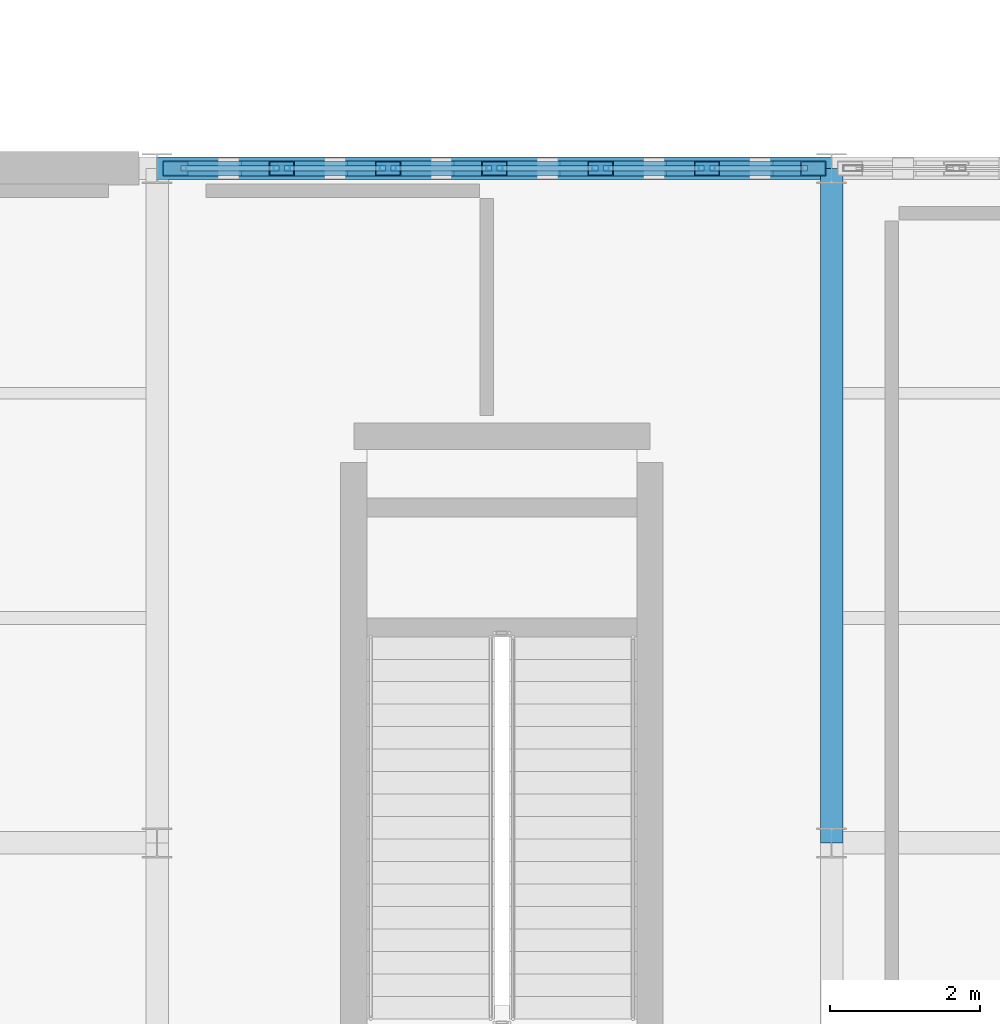
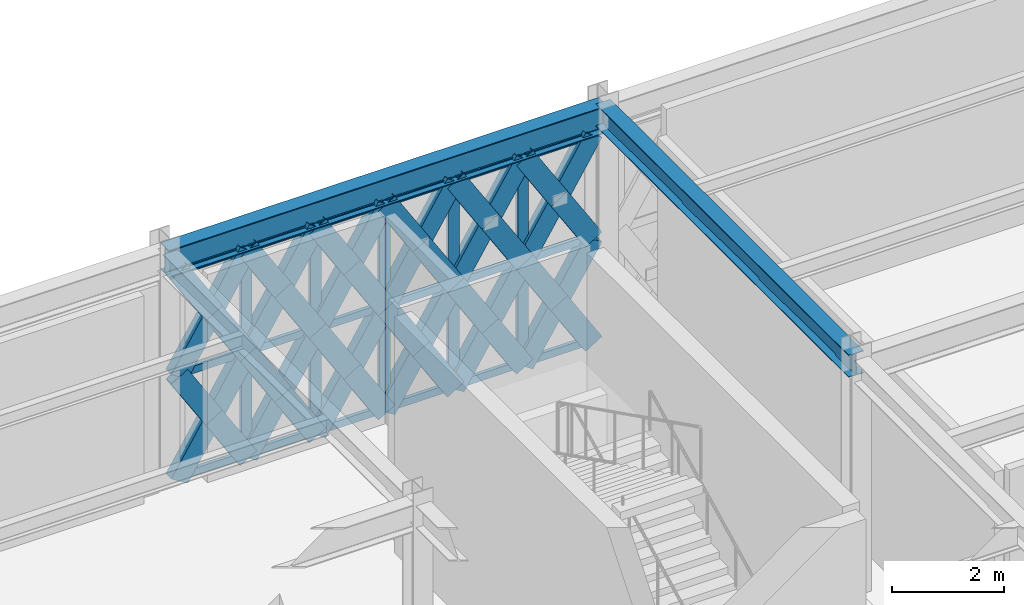
# One storey, part 95 of 140: 59 members, 2 beams, 1 element without a shape of its own.
"""IFC4 building model written with IfcOpenShell, lengths in metres."""

from ifc_helpers import new_model, si_unit, direction, frame, origin, origin_2d, place, context, subcontext, project, spatial, hollow_rectangle, i_section, extrude, material, material_profile, profile_set, type_object, element, aggregate, save


model = new_model("IFC4")

# Units and contexts
model_context = context("Model", 3, precision=1e-05, world=origin(), true_north=direction((0.0, 1.0)))
body_context = subcontext(model_context, "Body", "Model", "MODEL_VIEW")
ifc_project = project(units=[si_unit("LENGTHUNIT", "METRE"), si_unit("AREAUNIT", "SQUARE_METRE"), si_unit("VOLUMEUNIT", "CUBIC_METRE"), si_unit("PLANEANGLEUNIT", "RADIAN"), si_unit("MASSUNIT", "GRAM", prefix="KILO")], contexts=[model_context])

# Site, building, storey
site_placement = place(None, origin())
site = spatial("IfcSite", under=ifc_project, at=site_placement, CompositionType="ELEMENT")
building_placement = place(site_placement, origin())
building = spatial("IfcBuilding", under=site, at=building_placement, Name="Haizhuo Lancet Aquarium", CompositionType="ELEMENT")
storey_placement = place(building_placement, origin())
storey = spatial("IfcBuildingStorey", under=building, at=storey_placement, Name="L00", CompositionType="ELEMENT", Elevation=0.0)

# Beams
ifc_material_1 = material(Name="Steel S355", Category="steel")
ifc_material_profile_1 = material_profile(ifc_material_1, i_section(OverallWidth=0.300048828125, OverallDepth=0.488037109375, WebThickness=0.010986328125, FlangeThickness=0.01806640625, FilletRadius=0.02392578125, at=origin_2d()), Name="HM 488x300x11x18")
ifc_profile_set_1 = profile_set([ifc_material_profile_1], Name="Steel S355")
beam_type_1 = type_object("IfcBeamType", Name="BM-ST-HM488", PredefinedType="BEAM", material=ifc_profile_set_1)
beam_1_placement = place(storey_placement, frame((54.0, 27.0, 4.8759765625), z_axis=(0.0, 1.0, 0.0), x_axis=(-1.0, 0.0, 0.0)))
element("IfcBeam", 1, at=beam_1_placement, inside=storey, type_object=beam_type_1, Name="L00 V7 primary girder BM-L00-V7-015", PredefinedType="BEAM", context=body_context, shape_type="SweptSolid", body=[
    extrude(i_section(OverallWidth=0.300048828125, OverallDepth=0.488037109375, WebThickness=0.010986328125, FlangeThickness=0.01806640625, FilletRadius=0.02392578125, at=origin_2d()), origin(), (0.0, 0.0, 1.0), 9.0),
])
ifc_material_profile_2 = material_profile(ifc_material_1, i_section(OverallWidth=0.300048828125, OverallDepth=0.587890625, WebThickness=0.011962890625, FlangeThickness=0.02001953125, FilletRadius=0.02587890625, at=origin_2d()), Name="HM 588x300x12x20")
ifc_profile_set_2 = profile_set([ifc_material_profile_2], Name="Steel S355")
beam_type_2 = type_object("IfcBeamType", Name="BM-ST-HM588", PredefinedType="BEAM", material=ifc_profile_set_2)
beam_2_placement = place(storey_placement, frame((45.0, 36.0, 4.825927734375), z_axis=(1.0, 0.0, 0.0), x_axis=(0.0, 1.0, 0.0)))
element("IfcBeam", 2, at=beam_2_placement, inside=storey, type_object=beam_type_2, Name="L00 V7 primary girder BM-L00-V7-011", PredefinedType="BEAM", context=body_context, shape_type="SweptSolid", body=[
    extrude(i_section(OverallWidth=0.300048828125, OverallDepth=0.587890625, WebThickness=0.011962890625, FlangeThickness=0.02001953125, FilletRadius=0.02587890625, at=origin_2d()), origin(), (0.0, 0.0, 1.0), 9.0),
])

# Curtain wall, members
ifc_material_2 = material(Name="Aluminium 6063-T6", Category="aluminium")
curtain_wall_type = type_object("IfcCurtainWallType", Name="CWD-8510x4530", PredefinedType="NOTDEFINED", material=ifc_material_2)
curtain_wall_placement = place(storey_placement, origin())
curtain_wall = element("IfcCurtainWall", 3, at=curtain_wall_placement, inside=storey, type_object=curtain_wall_type, Name="L00 curtain wall CW-V7-L00-272", PredefinedType="NOTDEFINED")
ifc_material_profile_3 = material_profile(ifc_material_2, hollow_rectangle(XDim=0.074951171875, YDim=0.219970703125, WallThickness=0.0048828125, at=origin_2d()), Name="ALU-M 75x220x5")
ifc_profile_set_3 = profile_set([ifc_material_profile_3], Name="Aluminium 6063-T6")
member_type_1 = type_object("IfcMemberType", Name="CW-MUL-2", PredefinedType="MULLION", material=ifc_profile_set_3)
member_1_placement = place(storey_placement, frame((46.6630859375, 36.0, 0.0), z_axis=(0.0, 0.0, 1.0), x_axis=(0.0, 1.0, 0.0)))
member_1 = element("IfcMember", 4, at=member_1_placement, type_object=member_type_1, Name="CWD-85x45 mullion 2", PredefinedType="MULLION", context=body_context, shape_type="SweptSolid", body=[
    extrude(hollow_rectangle(XDim=0.074951171875, YDim=0.219970703125, WallThickness=0.0048828125, at=origin_2d()), origin(), (0.0, 0.0, 1.0), 4.531982421875),
])
member_2_placement = place(storey_placement, frame((48.08203125, 36.0, 0.0), z_axis=(0.0, 0.0, 1.0), x_axis=(0.0, 1.0, 0.0)))
member_2 = element("IfcMember", 5, at=member_2_placement, type_object=member_type_1, Name="CWD-85x45 mullion 3", PredefinedType="MULLION", context=body_context, shape_type="SweptSolid", body=[
    extrude(hollow_rectangle(XDim=0.074951171875, YDim=0.219970703125, WallThickness=0.0048828125, at=origin_2d()), origin(), (0.0, 0.0, 1.0), 4.531982421875),
])
member_3_placement = place(storey_placement, frame((49.5, 36.0, 0.0), z_axis=(0.0, 0.0, 1.0), x_axis=(0.0, 1.0, 0.0)))
member_3 = element("IfcMember", 6, at=member_3_placement, type_object=member_type_1, Name="CWD-85x45 mullion 4", PredefinedType="MULLION", context=body_context, shape_type="SweptSolid", body=[
    extrude(hollow_rectangle(XDim=0.074951171875, YDim=0.219970703125, WallThickness=0.0048828125, at=origin_2d()), origin(), (0.0, 0.0, 1.0), 4.531982421875),
])
member_4_placement = place(storey_placement, frame((50.91796875, 36.0, 0.0), z_axis=(0.0, 0.0, 1.0), x_axis=(0.0, 1.0, 0.0)))
member_4 = element("IfcMember", 7, at=member_4_placement, type_object=member_type_1, Name="CWD-85x45 mullion 5", PredefinedType="MULLION", context=body_context, shape_type="SweptSolid", body=[
    extrude(hollow_rectangle(XDim=0.074951171875, YDim=0.219970703125, WallThickness=0.0048828125, at=origin_2d()), origin(), (0.0, 0.0, 1.0), 4.531982421875),
])
member_5_placement = place(storey_placement, frame((52.3369140625, 36.0, 0.0), z_axis=(0.0, 0.0, 1.0), x_axis=(0.0, 1.0, 0.0)))
member_5 = element("IfcMember", 8, at=member_5_placement, type_object=member_type_1, Name="CWD-85x45 mullion 6", PredefinedType="MULLION", context=body_context, shape_type="SweptSolid", body=[
    extrude(hollow_rectangle(XDim=0.074951171875, YDim=0.219970703125, WallThickness=0.0048828125, at=origin_2d()), origin(), (0.0, 0.0, 1.0), 4.531982421875),
])
ifc_material_profile_4 = material_profile(ifc_material_2, hollow_rectangle(XDim=0.074951171875, YDim=0.159912109375, WallThickness=0.00390625, at=origin_2d()), Name="ALU-T 75x160x4")
ifc_profile_set_4 = profile_set([ifc_material_profile_4], Name="Aluminium 6063-T6")
member_type_2 = type_object("IfcMemberType", Name="CW-TRN-2", PredefinedType="NOTDEFINED", material=ifc_profile_set_4)
member_6_placement = place(storey_placement, frame((45.320068359375, 36.0, 0.037109375), z_axis=(1.0, 0.0, 0.0), x_axis=(0.0, 1.0, 0.0)))
member_6 = element("IfcMember", 9, at=member_6_placement, type_object=member_type_2, Name="CWD-85x45 transom 1.1", ObjectType="TRANSOM", PredefinedType="USERDEFINED", context=body_context, shape_type="SweptSolid", body=[
    extrude(hollow_rectangle(XDim=0.074951171875, YDim=0.159912109375, WallThickness=0.00390625, at=origin_2d()), origin(), (0.0, 0.0, 1.0), 1.305908203125),
])
member_7_placement = place(storey_placement, frame((45.320068359375, 36.0, 2.26611328125), z_axis=(1.0, 0.0, 0.0), x_axis=(0.0, 1.0, 0.0)))
member_7 = element("IfcMember", 10, at=member_7_placement, type_object=member_type_2, Name="CWD-85x45 transom 1.2", ObjectType="TRANSOM", PredefinedType="USERDEFINED", context=body_context, shape_type="SweptSolid", body=[
    extrude(hollow_rectangle(XDim=0.074951171875, YDim=0.159912109375, WallThickness=0.00390625, at=origin_2d()), origin(), (0.0, 0.0, 1.0), 1.305908203125),
])
member_8_placement = place(storey_placement, frame((45.320068359375, 36.0, 4.4951171875), z_axis=(1.0, 0.0, 0.0), x_axis=(0.0, 1.0, 0.0)))
member_8 = element("IfcMember", 11, at=member_8_placement, type_object=member_type_2, Name="CWD-85x45 transom 1.3", ObjectType="TRANSOM", PredefinedType="USERDEFINED", context=body_context, shape_type="SweptSolid", body=[
    extrude(hollow_rectangle(XDim=0.074951171875, YDim=0.159912109375, WallThickness=0.00390625, at=origin_2d()), origin(), (0.0, 0.0, 1.0), 1.305908203125),
])
member_9_placement = place(storey_placement, frame((46.700927734375, 36.0, 0.037109375), z_axis=(1.0, 0.0, 0.0), x_axis=(0.0, 1.0, 0.0)))
member_9 = element("IfcMember", 12, at=member_9_placement, type_object=member_type_2, Name="CWD-85x45 transom 2.1", ObjectType="TRANSOM", PredefinedType="USERDEFINED", context=body_context, shape_type="SweptSolid", body=[
    extrude(hollow_rectangle(XDim=0.074951171875, YDim=0.159912109375, WallThickness=0.00390625, at=origin_2d()), origin(), (0.0, 0.0, 1.0), 1.343017578125),
])
member_10_placement = place(storey_placement, frame((46.700927734375, 36.0, 2.26611328125), z_axis=(1.0, 0.0, 0.0), x_axis=(0.0, 1.0, 0.0)))
member_10 = element("IfcMember", 13, at=member_10_placement, type_object=member_type_2, Name="CWD-85x45 transom 2.2", ObjectType="TRANSOM", PredefinedType="USERDEFINED", context=body_context, shape_type="SweptSolid", body=[
    extrude(hollow_rectangle(XDim=0.074951171875, YDim=0.159912109375, WallThickness=0.00390625, at=origin_2d()), origin(), (0.0, 0.0, 1.0), 1.343017578125),
])
member_11_placement = place(storey_placement, frame((46.700927734375, 36.0, 4.4951171875), z_axis=(1.0, 0.0, 0.0), x_axis=(0.0, 1.0, 0.0)))
member_11 = element("IfcMember", 14, at=member_11_placement, type_object=member_type_2, Name="CWD-85x45 transom 2.3", ObjectType="TRANSOM", PredefinedType="USERDEFINED", context=body_context, shape_type="SweptSolid", body=[
    extrude(hollow_rectangle(XDim=0.074951171875, YDim=0.159912109375, WallThickness=0.00390625, at=origin_2d()), origin(), (0.0, 0.0, 1.0), 1.343017578125),
])
member_12_placement = place(storey_placement, frame((48.118896484375, 36.0, 0.037109375), z_axis=(1.0, 0.0, 0.0), x_axis=(0.0, 1.0, 0.0)))
member_12 = element("IfcMember", 15, at=member_12_placement, type_object=member_type_2, Name="CWD-85x45 transom 3.1", ObjectType="TRANSOM", PredefinedType="USERDEFINED", context=body_context, shape_type="SweptSolid", body=[
    extrude(hollow_rectangle(XDim=0.074951171875, YDim=0.159912109375, WallThickness=0.00390625, at=origin_2d()), origin(), (0.0, 0.0, 1.0), 1.343017578125),
])
member_13_placement = place(storey_placement, frame((48.118896484375, 36.0, 2.26611328125), z_axis=(1.0, 0.0, 0.0), x_axis=(0.0, 1.0, 0.0)))
member_13 = element("IfcMember", 16, at=member_13_placement, type_object=member_type_2, Name="CWD-85x45 transom 3.2", ObjectType="TRANSOM", PredefinedType="USERDEFINED", context=body_context, shape_type="SweptSolid", body=[
    extrude(hollow_rectangle(XDim=0.074951171875, YDim=0.159912109375, WallThickness=0.00390625, at=origin_2d()), origin(), (0.0, 0.0, 1.0), 1.343017578125),
])
member_14_placement = place(storey_placement, frame((48.118896484375, 36.0, 4.4951171875), z_axis=(1.0, 0.0, 0.0), x_axis=(0.0, 1.0, 0.0)))
member_14 = element("IfcMember", 17, at=member_14_placement, type_object=member_type_2, Name="CWD-85x45 transom 3.3", ObjectType="TRANSOM", PredefinedType="USERDEFINED", context=body_context, shape_type="SweptSolid", body=[
    extrude(hollow_rectangle(XDim=0.074951171875, YDim=0.159912109375, WallThickness=0.00390625, at=origin_2d()), origin(), (0.0, 0.0, 1.0), 1.343017578125),
])
member_15_placement = place(storey_placement, frame((49.5380859375, 36.0, 0.037109375), z_axis=(1.0, 0.0, 0.0), x_axis=(0.0, 1.0, 0.0)))
member_15 = element("IfcMember", 18, at=member_15_placement, type_object=member_type_2, Name="CWD-85x45 transom 4.1", ObjectType="TRANSOM", PredefinedType="USERDEFINED", context=body_context, shape_type="SweptSolid", body=[
    extrude(hollow_rectangle(XDim=0.074951171875, YDim=0.159912109375, WallThickness=0.00390625, at=origin_2d()), origin(), (0.0, 0.0, 1.0), 1.343017578125),
])
member_16_placement = place(storey_placement, frame((49.5380859375, 36.0, 2.26611328125), z_axis=(1.0, 0.0, 0.0), x_axis=(0.0, 1.0, 0.0)))
member_16 = element("IfcMember", 19, at=member_16_placement, type_object=member_type_2, Name="CWD-85x45 transom 4.2", ObjectType="TRANSOM", PredefinedType="USERDEFINED", context=body_context, shape_type="SweptSolid", body=[
    extrude(hollow_rectangle(XDim=0.074951171875, YDim=0.159912109375, WallThickness=0.00390625, at=origin_2d()), origin(), (0.0, 0.0, 1.0), 1.343017578125),
])
member_17_placement = place(storey_placement, frame((49.5380859375, 36.0, 4.4951171875), z_axis=(1.0, 0.0, 0.0), x_axis=(0.0, 1.0, 0.0)))
member_17 = element("IfcMember", 20, at=member_17_placement, type_object=member_type_2, Name="CWD-85x45 transom 4.3", ObjectType="TRANSOM", PredefinedType="USERDEFINED", context=body_context, shape_type="SweptSolid", body=[
    extrude(hollow_rectangle(XDim=0.074951171875, YDim=0.159912109375, WallThickness=0.00390625, at=origin_2d()), origin(), (0.0, 0.0, 1.0), 1.343017578125),
])
member_18_placement = place(storey_placement, frame((50.9560546875, 36.0, 0.037109375), z_axis=(1.0, 0.0, 0.0), x_axis=(0.0, 1.0, 0.0)))
member_18 = element("IfcMember", 21, at=member_18_placement, type_object=member_type_2, Name="CWD-85x45 transom 5.1", ObjectType="TRANSOM", PredefinedType="USERDEFINED", context=body_context, shape_type="SweptSolid", body=[
    extrude(hollow_rectangle(XDim=0.074951171875, YDim=0.159912109375, WallThickness=0.00390625, at=origin_2d()), origin(), (0.0, 0.0, 1.0), 1.343017578125),
])
member_19_placement = place(storey_placement, frame((50.9560546875, 36.0, 2.26611328125), z_axis=(1.0, 0.0, 0.0), x_axis=(0.0, 1.0, 0.0)))
member_19 = element("IfcMember", 22, at=member_19_placement, type_object=member_type_2, Name="CWD-85x45 transom 5.2", ObjectType="TRANSOM", PredefinedType="USERDEFINED", context=body_context, shape_type="SweptSolid", body=[
    extrude(hollow_rectangle(XDim=0.074951171875, YDim=0.159912109375, WallThickness=0.00390625, at=origin_2d()), origin(), (0.0, 0.0, 1.0), 1.343017578125),
])
member_20_placement = place(storey_placement, frame((50.9560546875, 36.0, 4.4951171875), z_axis=(1.0, 0.0, 0.0), x_axis=(0.0, 1.0, 0.0)))
member_20 = element("IfcMember", 23, at=member_20_placement, type_object=member_type_2, Name="CWD-85x45 transom 5.3", ObjectType="TRANSOM", PredefinedType="USERDEFINED", context=body_context, shape_type="SweptSolid", body=[
    extrude(hollow_rectangle(XDim=0.074951171875, YDim=0.159912109375, WallThickness=0.00390625, at=origin_2d()), origin(), (0.0, 0.0, 1.0), 1.343017578125),
])
member_21_placement = place(storey_placement, frame((52.3740234375, 36.0, 0.037109375), z_axis=(1.0, 0.0, 0.0), x_axis=(0.0, 1.0, 0.0)))
member_21 = element("IfcMember", 24, at=member_21_placement, type_object=member_type_2, Name="CWD-85x45 transom 6.1", ObjectType="TRANSOM", PredefinedType="USERDEFINED", context=body_context, shape_type="SweptSolid", body=[
    extrude(hollow_rectangle(XDim=0.074951171875, YDim=0.159912109375, WallThickness=0.00390625, at=origin_2d()), origin(), (0.0, 0.0, 1.0), 1.305908203125),
])
member_22_placement = place(storey_placement, frame((52.3740234375, 36.0, 2.26611328125), z_axis=(1.0, 0.0, 0.0), x_axis=(0.0, 1.0, 0.0)))
member_22 = element("IfcMember", 25, at=member_22_placement, type_object=member_type_2, Name="CWD-85x45 transom 6.2", ObjectType="TRANSOM", PredefinedType="USERDEFINED", context=body_context, shape_type="SweptSolid", body=[
    extrude(hollow_rectangle(XDim=0.074951171875, YDim=0.159912109375, WallThickness=0.00390625, at=origin_2d()), origin(), (0.0, 0.0, 1.0), 1.305908203125),
])
member_23_placement = place(storey_placement, frame((52.3740234375, 36.0, 4.4951171875), z_axis=(1.0, 0.0, 0.0), x_axis=(0.0, 1.0, 0.0)))
member_23 = element("IfcMember", 26, at=member_23_placement, type_object=member_type_2, Name="CWD-85x45 transom 6.3", ObjectType="TRANSOM", PredefinedType="USERDEFINED", context=body_context, shape_type="SweptSolid", body=[
    extrude(hollow_rectangle(XDim=0.074951171875, YDim=0.159912109375, WallThickness=0.00390625, at=origin_2d()), origin(), (0.0, 0.0, 1.0), 1.305908203125),
])
aggregate(curtain_wall, [member_1, member_2, member_3, member_4, member_5, member_6, member_7, member_8, member_9, member_10, member_11, member_12, member_13, member_14, member_15, member_16, member_17, member_18, member_19, member_20, member_21, member_22, member_23])

# Members
ifc_material_profile_5 = material_profile(ifc_material_1, hollow_rectangle(XDim=0.199951171875, YDim=0.39990234375, WallThickness=0.011962890625, at=origin_2d()), Name="RHS 200x400x12")
ifc_profile_set_5 = profile_set([ifc_material_profile_5], Name="Steel S355")
member_type_3 = type_object("IfcMemberType", Name="MEM-LB-RHS200x400", PredefinedType="BRACE", material=ifc_profile_set_5)
member_24_placement = place(storey_placement, frame((45.2451171875, 36.0, 0.0), z_axis=(0.530442175185, 0.0, 0.847721120879), x_axis=(0.0, 1.0, 0.0)))
element("IfcMember", 27, at=member_24_placement, inside=storey, type_object=member_type_3, Name="Gothic lancet continuous diagonal brace CW-V7-L00-272 1A", PredefinedType="BRACE", context=body_context, shape_type="SweptSolid", body=[
    extrude(hollow_rectangle(XDim=0.199951171875, YDim=0.39990234375, WallThickness=0.011962890625, at=origin_2d()), origin(), (0.0, 0.0, 1.0), 2.673095703125),
])
for number, where, z_axis, x_axis, name in (
    (28, (46.6630859375, 36.0, 0.0), (-0.530442175185, 0.0, 0.847721120879), (0.0, -1.0, 0.0), "Gothic lancet split diagonal brace CW-V7-L00-272 1B1"),
    (29, (45.9541015625, 36.0, 1.133056640625), (-0.530442175185, 0.0, 0.847721120879), (0.0, -1.0, 0.0), "Gothic lancet split diagonal brace CW-V7-L00-272 1B2"),
):
    element("IfcMember", number, at=place(storey_placement, frame(where, z_axis=z_axis, x_axis=x_axis)), inside=storey, type_object=member_type_3, Name=name, PredefinedType="BRACE", context=body_context, shape_type="SweptSolid", body=[
        extrude(hollow_rectangle(XDim=0.199951171875, YDim=0.39990234375, WallThickness=0.011962890625, at=origin_2d()), origin(), (0.0, 0.0, 1.0), 1.336669921875),
    ])
member_25_placement = place(storey_placement, frame((45.2451171875, 36.0, 2.26611328125), z_axis=(0.530483245642, 0.0, 0.847695420592), x_axis=(0.0, 1.0, 0.0)))
element("IfcMember", 30, at=member_25_placement, inside=storey, type_object=member_type_3, Name="Gothic lancet continuous diagonal brace CW-V7-L00-272 2A", PredefinedType="BRACE", context=body_context, shape_type="SweptSolid", body=[
    extrude(hollow_rectangle(XDim=0.199951171875, YDim=0.39990234375, WallThickness=0.011962890625, at=origin_2d()), origin(), (0.0, 0.0, 1.0), 2.673095703125),
])
member_26_placement = place(storey_placement, frame((46.6630859375, 36.0, 2.26611328125), z_axis=(-0.530524321213, 0.0, 0.847669714335), x_axis=(0.0, -1.0, 0.0)))
element("IfcMember", 31, at=member_26_placement, inside=storey, type_object=member_type_3, Name="Gothic lancet split diagonal brace CW-V7-L00-272 2B1", PredefinedType="BRACE", context=body_context, shape_type="SweptSolid", body=[
    extrude(hollow_rectangle(XDim=0.199951171875, YDim=0.39990234375, WallThickness=0.011962890625, at=origin_2d()), origin(), (0.0, 0.0, 1.0), 1.33642578125),
])
member_27_placement = place(storey_placement, frame((45.9541015625, 36.0, 3.39892578125), z_axis=(-0.530442175185, 0.0, 0.847721120879), x_axis=(0.0, -1.0, 0.0)))
element("IfcMember", 32, at=member_27_placement, inside=storey, type_object=member_type_3, Name="Gothic lancet split diagonal brace CW-V7-L00-272 2B2", PredefinedType="BRACE", context=body_context, shape_type="SweptSolid", body=[
    extrude(hollow_rectangle(XDim=0.199951171875, YDim=0.39990234375, WallThickness=0.011962890625, at=origin_2d()), origin(), (0.0, 0.0, 1.0), 1.336669921875),
])
member_28_placement = place(storey_placement, frame((46.6630859375, 36.0, 0.0), z_axis=(0.530704627976, 0.0, 0.84755684048), x_axis=(0.0, 1.0, 0.0)))
element("IfcMember", 33, at=member_28_placement, inside=storey, type_object=member_type_3, Name="Gothic lancet continuous diagonal brace CW-V7-L00-272 3A", PredefinedType="BRACE", context=body_context, shape_type="SweptSolid", body=[
    extrude(hollow_rectangle(XDim=0.199951171875, YDim=0.39990234375, WallThickness=0.011962890625, at=origin_2d()), origin(), (0.0, 0.0, 1.0), 2.673583984375),
])
member_29_placement = place(storey_placement, frame((48.08203125, 36.0, 0.0), z_axis=(-0.530442175185, 0.0, 0.847721120879), x_axis=(0.0, -1.0, 0.0)))
element("IfcMember", 34, at=member_29_placement, inside=storey, type_object=member_type_3, Name="Gothic lancet split diagonal brace CW-V7-L00-272 3B1", PredefinedType="BRACE", context=body_context, shape_type="SweptSolid", body=[
    extrude(hollow_rectangle(XDim=0.199951171875, YDim=0.39990234375, WallThickness=0.011962890625, at=origin_2d()), origin(), (0.0, 0.0, 1.0), 1.336669921875),
])
member_30_placement = place(storey_placement, frame((47.373046875, 36.0, 1.133056640625), z_axis=(-0.530966928191, 0.0, 0.847392542549), x_axis=(0.0, -1.0, 0.0)))
element("IfcMember", 35, at=member_30_placement, inside=storey, type_object=member_type_3, Name="Gothic lancet split diagonal brace CW-V7-L00-272 3B2", PredefinedType="BRACE", context=body_context, shape_type="SweptSolid", body=[
    extrude(hollow_rectangle(XDim=0.199951171875, YDim=0.39990234375, WallThickness=0.011962890625, at=origin_2d()), origin(), (0.0, 0.0, 1.0), 1.337158203125),
])
member_31_placement = place(storey_placement, frame((46.6630859375, 36.0, 2.26611328125), z_axis=(0.530745702827, 0.0, 0.847531119742), x_axis=(0.0, 1.0, 0.0)))
element("IfcMember", 36, at=member_31_placement, inside=storey, type_object=member_type_3, Name="Gothic lancet continuous diagonal brace CW-V7-L00-272 4A", PredefinedType="BRACE", context=body_context, shape_type="SweptSolid", body=[
    extrude(hollow_rectangle(XDim=0.199951171875, YDim=0.39990234375, WallThickness=0.011962890625, at=origin_2d()), origin(), (0.0, 0.0, 1.0), 2.673583984375),
])
member_32_placement = place(storey_placement, frame((48.08203125, 36.0, 2.26611328125), z_axis=(-0.530524321213, 0.0, 0.847669714335), x_axis=(0.0, -1.0, 0.0)))
element("IfcMember", 37, at=member_32_placement, inside=storey, type_object=member_type_3, Name="Gothic lancet split diagonal brace CW-V7-L00-272 4B1", PredefinedType="BRACE", context=body_context, shape_type="SweptSolid", body=[
    extrude(hollow_rectangle(XDim=0.199951171875, YDim=0.39990234375, WallThickness=0.011962890625, at=origin_2d()), origin(), (0.0, 0.0, 1.0), 1.33642578125),
])
member_33_placement = place(storey_placement, frame((47.373046875, 36.0, 3.39892578125), z_axis=(-0.530966928191, 0.0, 0.847392542549), x_axis=(0.0, -1.0, 0.0)))
element("IfcMember", 38, at=member_33_placement, inside=storey, type_object=member_type_3, Name="Gothic lancet split diagonal brace CW-V7-L00-272 4B2", PredefinedType="BRACE", context=body_context, shape_type="SweptSolid", body=[
    extrude(hollow_rectangle(XDim=0.199951171875, YDim=0.39990234375, WallThickness=0.011962890625, at=origin_2d()), origin(), (0.0, 0.0, 1.0), 1.337158203125),
])
member_34_placement = place(storey_placement, frame((48.08203125, 36.0, 0.0), z_axis=(0.530442175185, 0.0, 0.847721120879), x_axis=(0.0, 1.0, 0.0)))
element("IfcMember", 39, at=member_34_placement, inside=storey, type_object=member_type_3, Name="Gothic lancet continuous diagonal brace CW-V7-L00-272 5A", PredefinedType="BRACE", context=body_context, shape_type="SweptSolid", body=[
    extrude(hollow_rectangle(XDim=0.199951171875, YDim=0.39990234375, WallThickness=0.011962890625, at=origin_2d()), origin(), (0.0, 0.0, 1.0), 2.673095703125),
])
for number, where, z_axis, x_axis, name in (
    (40, (49.5, 36.0, 0.0), (-0.530442175185, 0.0, 0.847721120879), (0.0, -1.0, 0.0), "Gothic lancet split diagonal brace CW-V7-L00-272 5B1"),
    (41, (48.791015625, 36.0, 1.133056640625), (-0.530442175185, 0.0, 0.847721120879), (0.0, -1.0, 0.0), "Gothic lancet split diagonal brace CW-V7-L00-272 5B2"),
):
    element("IfcMember", number, at=place(storey_placement, frame(where, z_axis=z_axis, x_axis=x_axis)), inside=storey, type_object=member_type_3, Name=name, PredefinedType="BRACE", context=body_context, shape_type="SweptSolid", body=[
        extrude(hollow_rectangle(XDim=0.199951171875, YDim=0.39990234375, WallThickness=0.011962890625, at=origin_2d()), origin(), (0.0, 0.0, 1.0), 1.336669921875),
    ])
member_35_placement = place(storey_placement, frame((48.08203125, 36.0, 2.26611328125), z_axis=(0.530483245642, 0.0, 0.847695420592), x_axis=(0.0, 1.0, 0.0)))
element("IfcMember", 42, at=member_35_placement, inside=storey, type_object=member_type_3, Name="Gothic lancet continuous diagonal brace CW-V7-L00-272 6A", PredefinedType="BRACE", context=body_context, shape_type="SweptSolid", body=[
    extrude(hollow_rectangle(XDim=0.199951171875, YDim=0.39990234375, WallThickness=0.011962890625, at=origin_2d()), origin(), (0.0, 0.0, 1.0), 2.673095703125),
])
member_36_placement = place(storey_placement, frame((49.5, 36.0, 2.26611328125), z_axis=(-0.530524321213, 0.0, 0.847669714335), x_axis=(0.0, -1.0, 0.0)))
element("IfcMember", 43, at=member_36_placement, inside=storey, type_object=member_type_3, Name="Gothic lancet split diagonal brace CW-V7-L00-272 6B1", PredefinedType="BRACE", context=body_context, shape_type="SweptSolid", body=[
    extrude(hollow_rectangle(XDim=0.199951171875, YDim=0.39990234375, WallThickness=0.011962890625, at=origin_2d()), origin(), (0.0, 0.0, 1.0), 1.33642578125),
])
member_37_placement = place(storey_placement, frame((48.791015625, 36.0, 3.39892578125), z_axis=(-0.530442175185, 0.0, 0.847721120879), x_axis=(0.0, -1.0, 0.0)))
element("IfcMember", 44, at=member_37_placement, inside=storey, type_object=member_type_3, Name="Gothic lancet split diagonal brace CW-V7-L00-272 6B2", PredefinedType="BRACE", context=body_context, shape_type="SweptSolid", body=[
    extrude(hollow_rectangle(XDim=0.199951171875, YDim=0.39990234375, WallThickness=0.011962890625, at=origin_2d()), origin(), (0.0, 0.0, 1.0), 1.336669921875),
])
member_38_placement = place(storey_placement, frame((49.5, 36.0, 0.0), z_axis=(0.530442175185, 0.0, 0.847721120879), x_axis=(0.0, 1.0, 0.0)))
element("IfcMember", 45, at=member_38_placement, inside=storey, type_object=member_type_3, Name="Gothic lancet continuous diagonal brace CW-V7-L00-272 7A", PredefinedType="BRACE", context=body_context, shape_type="SweptSolid", body=[
    extrude(hollow_rectangle(XDim=0.199951171875, YDim=0.39990234375, WallThickness=0.011962890625, at=origin_2d()), origin(), (0.0, 0.0, 1.0), 2.673095703125),
])
for number, where, z_axis, x_axis, name in (
    (46, (50.91796875, 36.0, 0.0), (-0.530442175185, 0.0, 0.847721120879), (0.0, -1.0, 0.0), "Gothic lancet split diagonal brace CW-V7-L00-272 7B1"),
    (47, (50.208984375, 36.0, 1.133056640625), (-0.530442175185, 0.0, 0.847721120879), (0.0, -1.0, 0.0), "Gothic lancet split diagonal brace CW-V7-L00-272 7B2"),
):
    element("IfcMember", number, at=place(storey_placement, frame(where, z_axis=z_axis, x_axis=x_axis)), inside=storey, type_object=member_type_3, Name=name, PredefinedType="BRACE", context=body_context, shape_type="SweptSolid", body=[
        extrude(hollow_rectangle(XDim=0.199951171875, YDim=0.39990234375, WallThickness=0.011962890625, at=origin_2d()), origin(), (0.0, 0.0, 1.0), 1.336669921875),
    ])
member_39_placement = place(storey_placement, frame((49.5, 36.0, 2.26611328125), z_axis=(0.530483245642, 0.0, 0.847695420592), x_axis=(0.0, 1.0, 0.0)))
element("IfcMember", 48, at=member_39_placement, inside=storey, type_object=member_type_3, Name="Gothic lancet continuous diagonal brace CW-V7-L00-272 8A", PredefinedType="BRACE", context=body_context, shape_type="SweptSolid", body=[
    extrude(hollow_rectangle(XDim=0.199951171875, YDim=0.39990234375, WallThickness=0.011962890625, at=origin_2d()), origin(), (0.0, 0.0, 1.0), 2.673095703125),
])
member_40_placement = place(storey_placement, frame((50.91796875, 36.0, 2.26611328125), z_axis=(-0.530524321213, 0.0, 0.847669714335), x_axis=(0.0, -1.0, 0.0)))
element("IfcMember", 49, at=member_40_placement, inside=storey, type_object=member_type_3, Name="Gothic lancet split diagonal brace CW-V7-L00-272 8B1", PredefinedType="BRACE", context=body_context, shape_type="SweptSolid", body=[
    extrude(hollow_rectangle(XDim=0.199951171875, YDim=0.39990234375, WallThickness=0.011962890625, at=origin_2d()), origin(), (0.0, 0.0, 1.0), 1.33642578125),
])
member_41_placement = place(storey_placement, frame((50.208984375, 36.0, 3.39892578125), z_axis=(-0.530442175185, 0.0, 0.847721120879), x_axis=(0.0, -1.0, 0.0)))
element("IfcMember", 50, at=member_41_placement, inside=storey, type_object=member_type_3, Name="Gothic lancet split diagonal brace CW-V7-L00-272 8B2", PredefinedType="BRACE", context=body_context, shape_type="SweptSolid", body=[
    extrude(hollow_rectangle(XDim=0.199951171875, YDim=0.39990234375, WallThickness=0.011962890625, at=origin_2d()), origin(), (0.0, 0.0, 1.0), 1.336669921875),
])
member_42_placement = place(storey_placement, frame((50.91796875, 36.0, 0.0), z_axis=(0.530704627976, 0.0, 0.84755684048), x_axis=(0.0, 1.0, 0.0)))
element("IfcMember", 51, at=member_42_placement, inside=storey, type_object=member_type_3, Name="Gothic lancet continuous diagonal brace CW-V7-L00-272 9A", PredefinedType="BRACE", context=body_context, shape_type="SweptSolid", body=[
    extrude(hollow_rectangle(XDim=0.199951171875, YDim=0.39990234375, WallThickness=0.011962890625, at=origin_2d()), origin(), (0.0, 0.0, 1.0), 2.673583984375),
])
member_43_placement = place(storey_placement, frame((52.3369140625, 36.0, 0.0), z_axis=(-0.530966928191, 0.0, 0.847392542549), x_axis=(0.0, -1.0, 0.0)))
element("IfcMember", 52, at=member_43_placement, inside=storey, type_object=member_type_3, Name="Gothic lancet split diagonal brace CW-V7-L00-272 9B1", PredefinedType="BRACE", context=body_context, shape_type="SweptSolid", body=[
    extrude(hollow_rectangle(XDim=0.199951171875, YDim=0.39990234375, WallThickness=0.011962890625, at=origin_2d()), origin(), (0.0, 0.0, 1.0), 1.337158203125),
])
member_44_placement = place(storey_placement, frame((51.626953125, 36.0, 1.133056640625), z_axis=(-0.530442175185, 0.0, 0.847721120879), x_axis=(0.0, -1.0, 0.0)))
element("IfcMember", 53, at=member_44_placement, inside=storey, type_object=member_type_3, Name="Gothic lancet split diagonal brace CW-V7-L00-272 9B2", PredefinedType="BRACE", context=body_context, shape_type="SweptSolid", body=[
    extrude(hollow_rectangle(XDim=0.199951171875, YDim=0.39990234375, WallThickness=0.011962890625, at=origin_2d()), origin(), (0.0, 0.0, 1.0), 1.336669921875),
])
member_45_placement = place(storey_placement, frame((50.91796875, 36.0, 2.26611328125), z_axis=(0.530745702827, 0.0, 0.847531119742), x_axis=(0.0, 1.0, 0.0)))
element("IfcMember", 54, at=member_45_placement, inside=storey, type_object=member_type_3, Name="Gothic lancet continuous diagonal brace CW-V7-L00-272 10A", PredefinedType="BRACE", context=body_context, shape_type="SweptSolid", body=[
    extrude(hollow_rectangle(XDim=0.199951171875, YDim=0.39990234375, WallThickness=0.011962890625, at=origin_2d()), origin(), (0.0, 0.0, 1.0), 2.673583984375),
])
member_46_placement = place(storey_placement, frame((52.3369140625, 36.0, 2.26611328125), z_axis=(-0.531049091739, 0.0, 0.847341054218), x_axis=(0.0, -1.0, 0.0)))
element("IfcMember", 55, at=member_46_placement, inside=storey, type_object=member_type_3, Name="Gothic lancet split diagonal brace CW-V7-L00-272 10B1", PredefinedType="BRACE", context=body_context, shape_type="SweptSolid", body=[
    extrude(hollow_rectangle(XDim=0.199951171875, YDim=0.39990234375, WallThickness=0.011962890625, at=origin_2d()), origin(), (0.0, 0.0, 1.0), 1.3369140625),
])
member_47_placement = place(storey_placement, frame((51.626953125, 36.0, 3.39892578125), z_axis=(-0.530442175185, 0.0, 0.847721120879), x_axis=(0.0, -1.0, 0.0)))
element("IfcMember", 56, at=member_47_placement, inside=storey, type_object=member_type_3, Name="Gothic lancet split diagonal brace CW-V7-L00-272 10B2", PredefinedType="BRACE", context=body_context, shape_type="SweptSolid", body=[
    extrude(hollow_rectangle(XDim=0.199951171875, YDim=0.39990234375, WallThickness=0.011962890625, at=origin_2d()), origin(), (0.0, 0.0, 1.0), 1.336669921875),
])
member_48_placement = place(storey_placement, frame((52.3369140625, 36.0, 0.0), z_axis=(0.530442175185, 0.0, 0.847721120879), x_axis=(0.0, 1.0, 0.0)))
element("IfcMember", 57, at=member_48_placement, inside=storey, type_object=member_type_3, Name="Gothic lancet continuous diagonal brace CW-V7-L00-272 11A", PredefinedType="BRACE", context=body_context, shape_type="SweptSolid", body=[
    extrude(hollow_rectangle(XDim=0.199951171875, YDim=0.39990234375, WallThickness=0.011962890625, at=origin_2d()), origin(), (0.0, 0.0, 1.0), 2.673095703125),
])
for number, where, z_axis, x_axis, name in (
    (58, (53.7548828125, 36.0, 0.0), (-0.530442175185, 0.0, 0.847721120879), (0.0, -1.0, 0.0), "Gothic lancet split diagonal brace CW-V7-L00-272 11B1"),
    (59, (53.0458984375, 36.0, 1.133056640625), (-0.530442175185, 0.0, 0.847721120879), (0.0, -1.0, 0.0), "Gothic lancet split diagonal brace CW-V7-L00-272 11B2"),
):
    element("IfcMember", number, at=place(storey_placement, frame(where, z_axis=z_axis, x_axis=x_axis)), inside=storey, type_object=member_type_3, Name=name, PredefinedType="BRACE", context=body_context, shape_type="SweptSolid", body=[
        extrude(hollow_rectangle(XDim=0.199951171875, YDim=0.39990234375, WallThickness=0.011962890625, at=origin_2d()), origin(), (0.0, 0.0, 1.0), 1.336669921875),
    ])
member_49_placement = place(storey_placement, frame((52.3369140625, 36.0, 2.26611328125), z_axis=(0.530483245642, 0.0, 0.847695420592), x_axis=(0.0, 1.0, 0.0)))
element("IfcMember", 60, at=member_49_placement, inside=storey, type_object=member_type_3, Name="Gothic lancet continuous diagonal brace CW-V7-L00-272 12A", PredefinedType="BRACE", context=body_context, shape_type="SweptSolid", body=[
    extrude(hollow_rectangle(XDim=0.199951171875, YDim=0.39990234375, WallThickness=0.011962890625, at=origin_2d()), origin(), (0.0, 0.0, 1.0), 2.673095703125),
])
member_50_placement = place(storey_placement, frame((53.7548828125, 36.0, 2.26611328125), z_axis=(-0.530524321213, 0.0, 0.847669714335), x_axis=(0.0, -1.0, 0.0)))
element("IfcMember", 61, at=member_50_placement, inside=storey, type_object=member_type_3, Name="Gothic lancet split diagonal brace CW-V7-L00-272 12B1", PredefinedType="BRACE", context=body_context, shape_type="SweptSolid", body=[
    extrude(hollow_rectangle(XDim=0.199951171875, YDim=0.39990234375, WallThickness=0.011962890625, at=origin_2d()), origin(), (0.0, 0.0, 1.0), 1.33642578125),
])
member_51_placement = place(storey_placement, frame((53.0458984375, 36.0, 3.39892578125), z_axis=(-0.530442175185, 0.0, 0.847721120879), x_axis=(0.0, -1.0, 0.0)))
element("IfcMember", 62, at=member_51_placement, inside=storey, type_object=member_type_3, Name="Gothic lancet split diagonal brace CW-V7-L00-272 12B2", PredefinedType="BRACE", context=body_context, shape_type="SweptSolid", body=[
    extrude(hollow_rectangle(XDim=0.199951171875, YDim=0.39990234375, WallThickness=0.011962890625, at=origin_2d()), origin(), (0.0, 0.0, 1.0), 1.336669921875),
])

save(model, "model.ifc")
